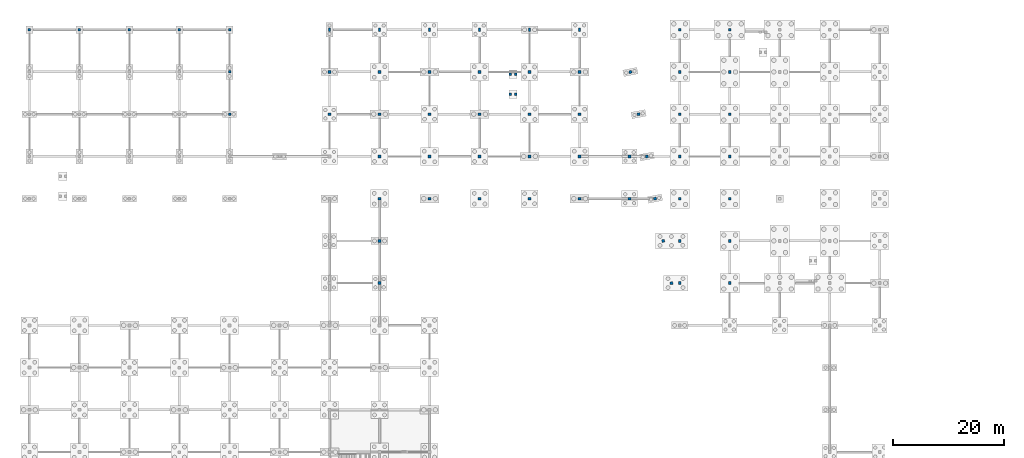
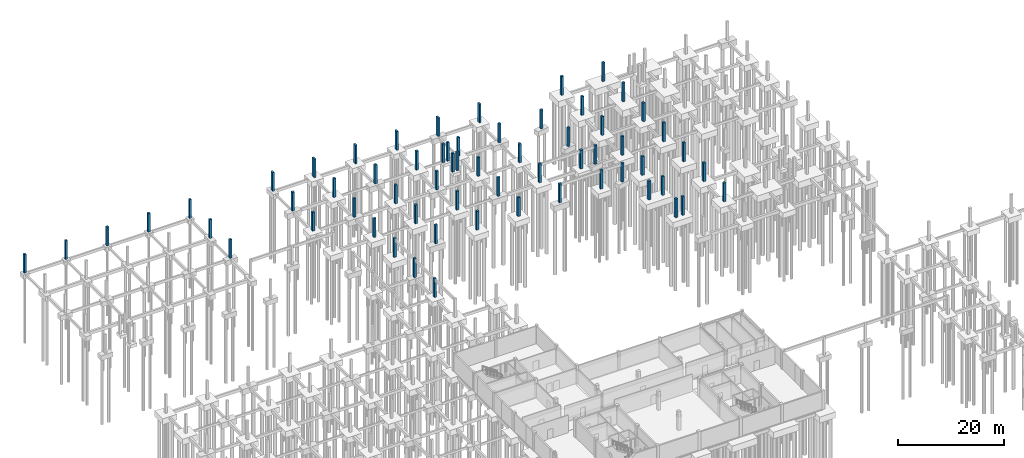
# One storey, part 20 of 28: 63 columns.
"""IFC4 building model written with IfcOpenShell, lengths in metres."""

from ifc_helpers import new_model, si_unit, direction, frame, origin, origin_2d, place, context, subcontext, project, spatial, rectangle, extrude, material, material_profile, profile_set, type_object, element, save


model = new_model("IFC4")

# Units and contexts
model_context = context("Model", 3, precision=1e-05, world=origin(), true_north=direction((0.0, 1.0)))
body_context = subcontext(model_context, "Body", "Model", "MODEL_VIEW")
ifc_project = project(units=[si_unit("LENGTHUNIT", "METRE"), si_unit("AREAUNIT", "SQUARE_METRE"), si_unit("VOLUMEUNIT", "CUBIC_METRE"), si_unit("PLANEANGLEUNIT", "RADIAN"), si_unit("MASSUNIT", "GRAM", prefix="KILO")], contexts=[model_context])

# Site, building, storey
site_placement = place(None, origin())
site = spatial("IfcSite", under=ifc_project, at=site_placement, CompositionType="ELEMENT")
building_placement = place(site_placement, origin())
building = spatial("IfcBuilding", under=site, at=building_placement, Name="Caisbarro Railhouse Central Library", CompositionType="ELEMENT")
storey_placement = place(building_placement, frame((0.0, 0.0, -4.320068359375)))
storey = spatial("IfcBuildingStorey", under=building, at=storey_placement, Name="B01", CompositionType="ELEMENT", Elevation=-4.320068359375)

# Columns
ifc_material = material(Name="Concrete C40", Category="concrete")
ifc_material_profile_1 = material_profile(ifc_material, rectangle(XDim=0.449951171875, YDim=0.449951171875, at=origin_2d()), Name="RC-COL-450X450")
ifc_profile_set_1 = profile_set([ifc_material_profile_1], Name="Concrete C40")
column_type_1 = type_object("IfcColumnType", Name="COL-RC45", PredefinedType="COLUMN", material=ifc_profile_set_1)
for number, where, z_axis, x_axis, name in (
    (1, (0.0, 114.0, 0.0), (0.0, 0.0, 1.0), (1.0, 0.0, 0.0), "RC45 column B01 (0.0,114.0)"),
    (2, (9.0, 114.0, 0.0), (0.0, 0.0, 1.0), (1.0, 0.0, 0.0), "RC45 column B01 (9.0,114.0)"),
    (3, (18.0, 114.0, 0.0), (0.0, 0.0, 1.0), (1.0, 0.0, 0.0), "RC45 column B01 (18.0,114.0)"),
    (4, (27.0, 114.0, 0.0), (0.0, 0.0, 1.0), (1.0, 0.0, 0.0), "RC45 column B01 (27.0,114.0)"),
    (5, (36.0, 98.800048828125, 0.0), (0.0, 0.0, 1.0), (1.0, 0.0, 0.0), "RC45 column B01 (36.0,98.8)"),
    (6, (36.0, 106.39990234375, 0.0), (0.0, 0.0, 1.0), (1.0, 0.0, 0.0), "RC45 column B01 (36.0,106.4)"),
    (7, (36.0, 114.0, 0.0), (0.0, 0.0, 1.0), (1.0, 0.0, 0.0), "RC45 column B01 (36.0,114.0)"),
    (8, (86.5, 102.3701171875, 0.0), (0.0, 0.0, 1.0), (1.0, 0.0, 0.0), "RC45 Stair Foundation Pier K5.1"),
    (9, (86.5, 105.97998046875, 0.0), (0.0, 0.0, 1.0), (1.0, 0.0, 0.0), "RC45 Stair Foundation Pier K5.2"),
    (10, (87.5, 102.3701171875, 0.0), (0.0, 0.0, 1.0), (1.0, 0.0, 0.0), "RC45 Stair Foundation Pier K5.3"),
    (11, (87.5, 105.97998046875, 0.0), (0.0, 0.0, 1.0), (1.0, 0.0, 0.0), "RC45 Stair Foundation Pier K5.4"),
):
    element("IfcColumn", number, at=place(storey_placement, frame(where, z_axis=z_axis, x_axis=x_axis)), inside=storey, type_object=column_type_1, Name=name, PredefinedType="COLUMN", context=body_context, shape_type="SweptSolid", body=[
        extrude(rectangle(XDim=0.449951171875, YDim=0.449951171875, at=origin_2d()), origin(), (0.0, 0.0, 1.0), 4.320068359375),
    ])
ifc_material_profile_2 = material_profile(ifc_material, rectangle(XDim=0.5, YDim=0.5, at=origin_2d()), Name="RC-COL-500X500")
ifc_profile_set_2 = profile_set([ifc_material_profile_2], Name="Concrete C40")
column_type_2 = type_object("IfcColumnType", Name="COL-RC50", PredefinedType="COLUMN", material=ifc_profile_set_2)
for number, where, z_axis, x_axis, name in (
    (12, (54.0, 98.800048828125, 0.0), (0.0, 0.0, 1.0), (1.0, 0.0, 0.0), "RC50 column B01 (54.0,98.8)"),
    (13, (54.0, 106.39990234375, 0.0), (0.0, 0.0, 1.0), (1.0, 0.0, 0.0), "RC50 column B01 (54.0,106.4)"),
    (14, (63.0, 68.39990234375, 0.0), (0.0, 0.0, 1.0), (1.0, 0.0, 0.0), "RC50 column B01 (63.0,68.4)"),
    (15, (63.0, 76.0, 0.0), (0.0, 0.0, 1.0), (1.0, 0.0, 0.0), "RC50 column B01 (63.0,76.0)"),
    (16, (63.0, 83.60009765625, 0.0), (0.0, 0.0, 1.0), (1.0, 0.0, 0.0), "RC50 column B01 (63.0,83.6)"),
    (17, (63.0, 91.199951171875, 0.0), (0.0, 0.0, 1.0), (1.0, 0.0, 0.0), "RC50 column B01 (63.0,91.2)"),
    (18, (63.0, 98.800048828125, 0.0), (0.0, 0.0, 1.0), (1.0, 0.0, 0.0), "RC50 column B01 (63.0,98.8)"),
    (19, (63.0, 106.39990234375, 0.0), (0.0, 0.0, 1.0), (1.0, 0.0, 0.0), "RC50 column B01 (63.0,106.4)"),
    (20, (72.0, 83.60009765625, 0.0), (0.0, 0.0, 1.0), (1.0, 0.0, 0.0), "RC50 column B01 (72.0,83.6)"),
    (21, (72.0, 91.199951171875, 0.0), (0.0, 0.0, 1.0), (1.0, 0.0, 0.0), "RC50 column B01 (72.0,91.2)"),
    (22, (72.0, 98.800048828125, 0.0), (0.0, 0.0, 1.0), (1.0, 0.0, 0.0), "RC50 column B01 (72.0,98.8)"),
    (23, (72.0, 106.39990234375, 0.0), (0.0, 0.0, 1.0), (1.0, 0.0, 0.0), "RC50 column B01 (72.0,106.4)"),
    (24, (81.0, 83.60009765625, 0.0), (0.0, 0.0, 1.0), (1.0, 0.0, 0.0), "RC50 column B01 (81.0,83.6)"),
    (25, (81.0, 91.199951171875, 0.0), (0.0, 0.0, 1.0), (1.0, 0.0, 0.0), "RC50 column B01 (81.0,91.2)"),
    (26, (81.0, 98.800048828125, 0.0), (0.0, 0.0, 1.0), (1.0, 0.0, 0.0), "RC50 column B01 (81.0,98.8)"),
    (27, (81.0, 106.39990234375, 0.0), (0.0, 0.0, 1.0), (1.0, 0.0, 0.0), "RC50 column B01 (81.0,106.4)"),
    (28, (90.0, 83.60009765625, 0.0), (0.0, 0.0, 1.0), (1.0, 0.0, 0.0), "RC50 column B01 (90.0,83.6)"),
    (29, (90.0, 91.199951171875, 0.0), (0.0, 0.0, 1.0), (1.0, 0.0, 0.0), "RC50 column B01 (90.0,91.2)"),
    (30, (90.0, 98.800048828125, 0.0), (0.0, 0.0, 1.0), (1.0, 0.0, 0.0), "RC50 column B01 (90.0,98.8)"),
    (31, (90.0, 106.39990234375, 0.0), (0.0, 0.0, 1.0), (1.0, 0.0, 0.0), "RC50 column B01 (90.0,106.4)"),
    (32, (99.0, 83.60009765625, 0.0), (0.0, 0.0, 1.0), (1.0, 0.0, 0.0), "RC50 column B01 (99.0,83.6)"),
    (33, (99.0, 91.199951171875, 0.0), (0.0, 0.0, 1.0), (1.0, 0.0, 0.0), "RC50 column B01 (99.0,91.2)"),
    (34, (99.0, 98.800048828125, 0.0), (0.0, 0.0, 1.0), (1.0, 0.0, 0.0), "RC50 column B01 (99.0,98.8)"),
    (35, (99.0, 106.39990234375, 0.0), (0.0, 0.0, 1.0), (1.0, 0.0, 0.0), "RC50 column B01 (99.0,106.4)"),
    (36, (108.0, 83.60009765625, 0.0), (0.0, 0.0, 1.0), (1.0, 0.0, 0.0), "RC50 column B01 (108.0,83.6)"),
    (37, (108.0, 91.199951171875, 0.0), (0.0, 0.0, 1.0), (1.0, 0.0, 0.0), "RC50 column B01 (108.0,91.2)"),
    (38, (108.135986328125, 106.39990234375, 0.0), (0.0, 0.0, 1.0), (0.981627183448, 0.190808995377, 0.0), "RC50 column B01 (108.1,106.4)"),
    (39, (109.614013671875, 98.800048828125, 0.0), (0.0, 0.0, 1.0), (0.981627183448, 0.190808995377, 0.0), "RC50 column B01 (109.6,98.8)"),
    (40, (111.091064453125, 91.199951171875, 0.0), (0.0, 0.0, 1.0), (0.981627183448, 0.190808995377, 0.0), "RC50 column B01 (111.1,91.2)"),
    (41, (112.568115234375, 83.60009765625, 0.0), (0.0, 0.0, 1.0), (0.981627183448, 0.190808995377, 0.0), "RC50 column B01 (112.6,83.6)"),
    (42, (114.044921875, 76.0, 0.0), (0.0, 0.0, 1.0), (0.981627183448, 0.190808995377, 0.0), "RC50 column B01 (114.0,76.0)"),
    (43, (115.52294921875, 68.39990234375, 0.0), (0.0, 0.0, 1.0), (0.981627183448, 0.190808995377, 0.0), "RC50 column B01 (115.5,68.4)"),
    (44, (117.0, 68.39990234375, 0.0), (0.0, 0.0, 1.0), (1.0, 0.0, 0.0), "RC50 column B01 (117.0,68.4)"),
    (45, (117.0, 76.0, 0.0), (0.0, 0.0, 1.0), (1.0, 0.0, 0.0), "RC50 column B01 (117.0,76.0)"),
    (46, (117.0, 83.60009765625, 0.0), (0.0, 0.0, 1.0), (1.0, 0.0, 0.0), "RC50 column B01 (117.0,83.6)"),
    (47, (117.0, 91.199951171875, 0.0), (0.0, 0.0, 1.0), (1.0, 0.0, 0.0), "RC50 column B01 (117.0,91.2)"),
    (48, (117.0, 98.800048828125, 0.0), (0.0, 0.0, 1.0), (1.0, 0.0, 0.0), "RC50 column B01 (117.0,98.8)"),
    (49, (117.0, 106.39990234375, 0.0), (0.0, 0.0, 1.0), (1.0, 0.0, 0.0), "RC50 column B01 (117.0,106.4)"),
    (50, (117.0, 114.0, 0.0), (0.0, 0.0, 1.0), (1.0, 0.0, 0.0), "RC50 column B01 (117.0,114.0)"),
    (51, (126.0, 68.39990234375, 0.0), (0.0, 0.0, 1.0), (1.0, 0.0, 0.0), "RC50 column B01 (126.0,68.4)"),
    (52, (126.0, 76.0, 0.0), (0.0, 0.0, 1.0), (1.0, 0.0, 0.0), "RC50 column B01 (126.0,76.0)"),
    (53, (126.0, 83.60009765625, 0.0), (0.0, 0.0, 1.0), (1.0, 0.0, 0.0), "RC50 column B01 (126.0,83.6)"),
    (54, (126.0, 91.199951171875, 0.0), (0.0, 0.0, 1.0), (1.0, 0.0, 0.0), "RC50 column B01 (126.0,91.2)"),
    (55, (126.0, 98.800048828125, 0.0), (0.0, 0.0, 1.0), (1.0, 0.0, 0.0), "RC50 column B01 (126.0,98.8)"),
    (56, (126.0, 106.39990234375, 0.0), (0.0, 0.0, 1.0), (1.0, 0.0, 0.0), "RC50 column B01 (126.0,106.4)"),
    (57, (126.0, 114.0, 0.0), (0.0, 0.0, 1.0), (1.0, 0.0, 0.0), "RC50 column B01 (126.0,114.0)"),
):
    element("IfcColumn", number, at=place(storey_placement, frame(where, z_axis=z_axis, x_axis=x_axis)), inside=storey, type_object=column_type_2, Name=name, PredefinedType="COLUMN", context=body_context, shape_type="SweptSolid", body=[
        extrude(rectangle(XDim=0.5, YDim=0.5, at=origin_2d()), origin(), (0.0, 0.0, 1.0), 4.320068359375),
    ])
ifc_material_profile_3 = material_profile(ifc_material, rectangle(XDim=0.39990234375, YDim=0.699951171875, at=origin_2d()), Name="RC-PIL-400X700")
ifc_profile_set_3 = profile_set([ifc_material_profile_3], Name="Concrete C40")
column_type_3 = type_object("IfcColumnType", Name="PIL-P02", PredefinedType="PILASTER", material=ifc_profile_set_3)
for number, where, z_axis, x_axis, name in (
    (58, (54.0, 114.0, 0.0), (0.0, 0.0, 1.0), (1.0, 0.0, 0.0), "PL02 column B01 (54.0,114.0)"),
    (59, (63.0, 114.0, 0.0), (0.0, 0.0, 1.0), (1.0, 0.0, 0.0), "PL02 column B01 (63.0,114.0)"),
    (60, (72.0, 114.0, 0.0), (0.0, 0.0, 1.0), (1.0, 0.0, 0.0), "PL02 column B01 (72.0,114.0)"),
    (61, (81.0, 114.0, 0.0), (0.0, 0.0, 1.0), (1.0, 0.0, 0.0), "PL02 column B01 (81.0,114.0)"),
    (62, (90.0, 114.0, 0.0), (0.0, 0.0, 1.0), (1.0, 0.0, 0.0), "PL02 column B01 (90.0,114.0)"),
    (63, (99.0, 114.0, 0.0), (0.0, 0.0, 1.0), (1.0, 0.0, 0.0), "PL02 column B01 (99.0,114.0)"),
):
    element("IfcColumn", number, at=place(storey_placement, frame(where, z_axis=z_axis, x_axis=x_axis)), inside=storey, type_object=column_type_3, Name=name, PredefinedType="PILASTER", context=body_context, shape_type="SweptSolid", body=[
        extrude(rectangle(XDim=0.39990234375, YDim=0.699951171875, at=origin_2d()), origin(), (0.0, 0.0, 1.0), 4.320068359375),
    ])

save(model, "model.ifc")
